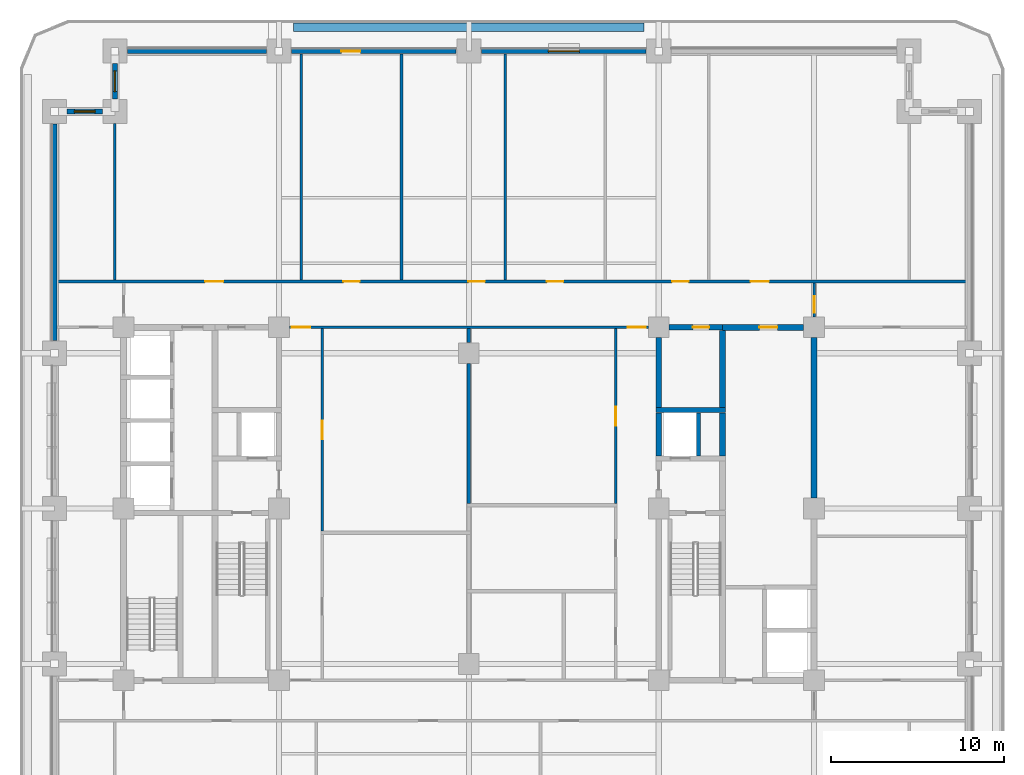
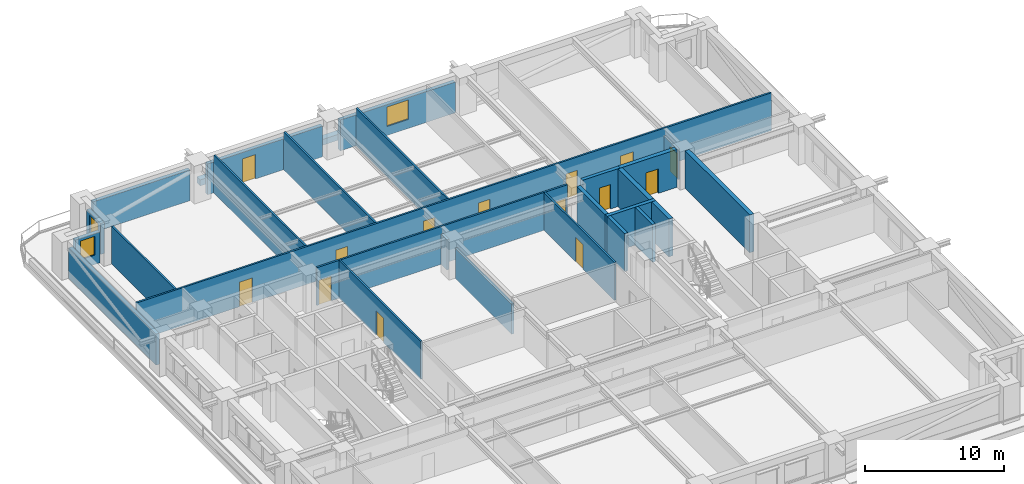
# One storey, part 5 of 14: 27 walls, 14 doors, 3 windows, 17 openings.
"""IFC4 building model written with IfcOpenShell, lengths in metres."""

from ifc_helpers import new_model, si_unit, direction, frame, frame_2d, origin, place, context, subcontext, project, spatial, rectangle, extrude, material, layer, layer_set, type_object, element, fill, save


model = new_model("IFC4")

# Units and contexts
model_context = context("Model", 3, precision=1e-05, world=origin(), true_north=direction((0.0, 1.0)))
body_context = subcontext(model_context, "Body", "Model", "MODEL_VIEW")
ifc_project = project(units=[si_unit("LENGTHUNIT", "METRE"), si_unit("AREAUNIT", "SQUARE_METRE"), si_unit("VOLUMEUNIT", "CUBIC_METRE"), si_unit("PLANEANGLEUNIT", "RADIAN"), si_unit("MASSUNIT", "GRAM", prefix="KILO")], contexts=[model_context])

# Site, building, storey
site_placement = place(None, origin())
site = spatial("IfcSite", under=ifc_project, at=site_placement, CompositionType="ELEMENT")
building_placement = place(site_placement, origin())
building = spatial("IfcBuilding", under=site, at=building_placement, Name="Zulmaris Gate Convention Tower", CompositionType="ELEMENT")
storey_placement = place(building_placement, frame((0.0, 0.0, 45.050048828125)))
storey = spatial("IfcBuildingStorey", under=building, at=storey_placement, Name="L10", CompositionType="ELEMENT", Elevation=45.050048828125)

# Walls
ifc_material_1 = material(Name="Concrete C50/60", Category="concrete")
ifc_layer_1 = layer(ifc_material_1, 0.25, Name="Concrete C50/60")
ifc_layer_set_1 = layer_set([ifc_layer_1], Name="Concrete C50/60")
wall_type_1 = type_object("IfcWallType", Name="CORE-250", PredefinedType="SOLIDWALL", material=ifc_layer_set_1)
wall_1_placement = place(storey_placement, frame((13.300048828125, 3.052001953125, 0.0), z_axis=(0.0, 0.0, 1.0), x_axis=(0.0, 1.0, 0.0)))
element("IfcWall", 1, at=wall_1_placement, inside=storey, type_object=wall_type_1, Name="WL-L10-058", PredefinedType="SOLIDWALL", context=body_context, shape_type="SweptSolid", body=[
    extrude(rectangle(XDim=2.49609375, YDim=0.25, at=frame_2d((1.248046875, 0.0))), origin(), (0.0, 0.0, 1.0), 3.320068359375),
])
ifc_layer_2 = layer(ifc_material_1, 0.300048828125, Name="Concrete C50/60")
ifc_layer_set_2 = layer_set([ifc_layer_2], Name="Concrete C50/60")
wall_type_2 = type_object("IfcWallType", Name="CORE-300", PredefinedType="SHEAR", material=ifc_layer_set_2)
wall_2_placement = place(storey_placement, frame((10.85009765625, 5.699951171875, 0.0), z_axis=(0.0, 0.0, 1.0), x_axis=(1.0, 0.0, 0.0)))
element("IfcWall", 2, at=wall_2_placement, inside=storey, type_object=wall_type_2, Name="WL-L10-014", PredefinedType="SHEAR", context=body_context, shape_type="SweptSolid", body=[
    extrude(rectangle(XDim=4.02490234375, YDim=0.300048828125, at=frame_2d((2.012451171875, 0.0))), origin(), (0.0, 0.0, 1.0), 3.320068359375),
])

# Wall, opening, door
wall_3_placement = place(storey_placement, frame((11.60400390625, 10.5, 0.0), z_axis=(0.0, 0.0, 1.0), x_axis=(1.0, 0.0, 0.0)))
wall_3 = element("IfcWall", 3, at=wall_3_placement, inside=storey, type_object=wall_type_2, Name="WL-L10-018", PredefinedType="SHEAR", context=body_context, shape_type="SweptSolid", body=[
    extrude(rectangle(XDim=3.095947265625, YDim=0.300048828125, at=frame_2d((1.5478515625, 0.0))), origin(), (0.0, 0.0, 1.0), 3.320068359375),
])
opening_1_placement = place(wall_3_placement, frame((1.37109375, 0.0, 0.0)))
opening_1 = element("IfcOpeningElement", 4, at=opening_1_placement, cuts=wall_3, Name="Opening D-11", PredefinedType="OPENING", context=body_context, shape_type="SweptSolid", body=[
    extrude(rectangle(XDim=0.949951171875, YDim=2.14990234375, at=frame_2d((0.47509765625, 1.074951171875))), frame((0.0, 0.16015625, 0.0), z_axis=(0.0, -1.0, 0.0), x_axis=(1.0, 0.0, 0.0)), (0.0, 0.0, 1.0), 0.320068359375),
])
ifc_material_2 = material(Name="Fire-Rated Timber", Category="wood")
door_type_1 = type_object("IfcDoorType", Name="DR-950-FD", OperationType="NOTDEFINED", PredefinedType="DOOR", material=ifc_material_2)
door_1_placement = place(opening_1_placement, origin())
door_1 = element("IfcDoor", 5, at=door_1_placement, inside=storey, type_object=door_type_1, Name="L10 Core Cleaners Store Door 08", OperationType="SINGLE_SWING_RIGHT", OverallHeight=2.14990234375, OverallWidth=0.949951171875, PredefinedType="DOOR", context=body_context, shape_type="SweptSolid", body=[
    extrude(rectangle(XDim=0.949951171875, YDim=2.14990234375, at=frame_2d((0.47509765625, 1.074951171875))), frame((0.0, 0.02490234375, 0.0), z_axis=(0.0, -1.0, 0.0), x_axis=(1.0, 0.0, 0.0)), (0.0, 0.0, 1.0), 0.050048828125),
])
fill(opening_1, door_1)

# Walls
wall_4_placement = place(storey_placement, frame((11.0, 3.052001953125, 0.0), z_axis=(0.0, 0.0, 1.0), x_axis=(0.0, 1.0, 0.0)))
element("IfcWall", 6, at=wall_4_placement, inside=storey, type_object=wall_type_2, Name="WL-L10-055", PredefinedType="SHEAR", context=body_context, shape_type="SweptSolid", body=[
    extrude(rectangle(XDim=2.49609375, YDim=0.300048828125, at=frame_2d((1.248046875, 0.0))), origin(), (0.0, 0.0, 1.0), 3.320068359375),
])
wall_5_placement = place(storey_placement, frame((11.0, 5.85205078125, 0.0), z_axis=(0.0, 0.0, 1.0), x_axis=(0.0, 1.0, 0.0)))
element("IfcWall", 7, at=wall_5_placement, inside=storey, type_object=wall_type_2, Name="WL-L10-056", PredefinedType="SHEAR", context=body_context, shape_type="SweptSolid", body=[
    extrude(rectangle(XDim=4.0439453125, YDim=0.300048828125, at=frame_2d((2.02197265625, 0.0))), origin(), (0.0, 0.0, 1.0), 3.320068359375),
])

# Wall, opening, door
ifc_material_3 = material(Name="Concrete C55/67", Category="concrete")
ifc_layer_3 = layer(ifc_material_3, 0.35009765625, Name="Concrete C55/67")
ifc_layer_set_3 = layer_set([ifc_layer_3], Name="Concrete C55/67")
wall_type_3 = type_object("IfcWallType", Name="CORE-350", PredefinedType="SHEAR", material=ifc_layer_set_3)
wall_6_placement = place(storey_placement, frame((14.699951171875, 10.5, 0.0), z_axis=(0.0, 0.0, 1.0), x_axis=(1.0, 0.0, 0.0)))
wall_6 = element("IfcWall", 8, at=wall_6_placement, inside=storey, type_object=wall_type_3, Name="WL-L10-019", PredefinedType="SHEAR", context=body_context, shape_type="SweptSolid", body=[
    extrude(rectangle(XDim=4.696044921875, YDim=0.35009765625, at=frame_2d((2.34814453125, 0.0))), origin(), (0.0, 0.0, 1.0), 3.320068359375),
])
opening_2_placement = place(wall_6_placement, frame((2.125, 0.0, 0.0)))
opening_2 = element("IfcOpeningElement", 9, at=opening_2_placement, cuts=wall_6, Name="Opening D-09", PredefinedType="OPENING", context=body_context, shape_type="SweptSolid", body=[
    extrude(rectangle(XDim=1.050048828125, YDim=2.14990234375, at=frame_2d((0.52490234375, 1.074951171875))), frame((0.0, 0.18505859375, 0.0), z_axis=(0.0, -1.0, 0.0), x_axis=(1.0, 0.0, 0.0)), (0.0, 0.0, 1.0), 0.3701171875),
])
ifc_material_4 = material(Name="Fire-Rated Steel", Category="steel")
door_type_2 = type_object("IfcDoorType", Name="DR-1050-FD", OperationType="NOTDEFINED", PredefinedType="DOOR", material=ifc_material_4)
door_2_placement = place(opening_2_placement, origin())
door_2 = element("IfcDoor", 10, at=door_2_placement, inside=storey, type_object=door_type_2, Name="L10 East Comms Room Door 16", OperationType="SINGLE_SWING_RIGHT", OverallHeight=2.14990234375, OverallWidth=1.050048828125, PredefinedType="DOOR", context=body_context, shape_type="SweptSolid", body=[
    extrude(rectangle(XDim=1.050048828125, YDim=2.14990234375, at=frame_2d((0.52490234375, 1.074951171875))), frame((0.0, 0.02490234375, 0.0), z_axis=(0.0, -1.0, 0.0), x_axis=(1.0, 0.0, 0.0)), (0.0, 0.0, 1.0), 0.050048828125),
])
fill(opening_2, door_2)

# Walls
wall_7_placement = place(storey_placement, frame((14.699951171875, 3.052001953125, 0.0), z_axis=(0.0, 0.0, 1.0), x_axis=(0.0, 1.0, 0.0)))
element("IfcWall", 11, at=wall_7_placement, inside=storey, type_object=wall_type_3, Name="WL-L10-061", PredefinedType="SHEAR", context=body_context, shape_type="SweptSolid", body=[
    extrude(rectangle(XDim=2.49609375, YDim=0.35009765625, at=frame_2d((1.248046875, 0.0))), origin(), (0.0, 0.0, 1.0), 3.320068359375),
])
wall_8_placement = place(storey_placement, frame((14.699951171875, 5.85205078125, 0.0), z_axis=(0.0, 0.0, 1.0), x_axis=(0.0, 1.0, 0.0)))
element("IfcWall", 12, at=wall_8_placement, inside=storey, type_object=wall_type_3, Name="WL-L10-062", PredefinedType="SHEAR", context=body_context, shape_type="SweptSolid", body=[
    extrude(rectangle(XDim=4.470947265625, YDim=0.35009765625, at=frame_2d((2.2353515625, 0.0))), origin(), (0.0, 0.0, 1.0), 3.320068359375),
])
wall_9_placement = place(storey_placement, frame((20.0, 0.60400390625, 0.0), z_axis=(0.0, 0.0, 1.0), x_axis=(0.0, 1.0, 0.0)))
element("IfcWall", 13, at=wall_9_placement, inside=storey, type_object=wall_type_3, Name="WL-L10-067S1", PredefinedType="SHEAR", context=body_context, shape_type="SweptSolid", body=[
    extrude(rectangle(XDim=9.2919921875, YDim=0.35009765625, at=frame_2d((4.64599609375, 0.0))), origin(), (0.0, 0.0, 1.0), 3.320068359375),
])

# Wall, openings, doors
ifc_material_5 = material(Name="Gypsum Metal Stud Partition")
ifc_layer_4 = layer(ifc_material_5, 0.14990234375, Name="Gypsum Metal Stud Partition")
ifc_layer_set_4 = layer_set([ifc_layer_4], Name="Gypsum Metal Stud Partition")
wall_type_4 = type_object("IfcWallType", Name="PART-150", PredefinedType="PARTITIONING", material=ifc_layer_set_4)
wall_10_placement = place(storey_placement, frame((-10.39404296875, 10.5, 0.0), z_axis=(0.0, 0.0, 1.0), x_axis=(1.0, 0.0, 0.0)))
wall_10 = element("IfcWall", 14, at=wall_10_placement, inside=storey, type_object=wall_type_4, Name="WL-L10-030", PredefinedType="PARTITIONING", context=body_context, shape_type="SweptSolid", body=[
    extrude(rectangle(XDim=20.7880859375, YDim=0.14990234375, at=frame_2d((10.39404296875, 0.0))), origin(), (0.0, 0.0, 1.0), 3.320068359375),
])
opening_3_placement = place(wall_10_placement, frame((0.14990234375, 0.0, 0.0)))
opening_3 = element("IfcOpeningElement", 15, at=opening_3_placement, cuts=wall_10, Name="Opening D-09", PredefinedType="OPENING", context=body_context, shape_type="SweptSolid", body=[
    extrude(rectangle(XDim=1.050048828125, YDim=2.14990234375, at=frame_2d((0.52490234375, 1.074951171875))), frame((0.0, 0.0849609375, 0.0), z_axis=(0.0, -1.0, 0.0), x_axis=(1.0, 0.0, 0.0)), (0.0, 0.0, 1.0), 0.169921875),
])
opening_4_placement = place(wall_10_placement, frame((19.587890625, 0.0, 0.0)))
opening_4 = element("IfcOpeningElement", 16, at=opening_4_placement, cuts=wall_10, Name="Opening D-09", PredefinedType="OPENING", context=body_context, shape_type="SweptSolid", body=[
    extrude(rectangle(XDim=1.050048828125, YDim=2.14990234375, at=frame_2d((0.52490234375, 1.074951171875))), frame((0.0, 0.0849609375, 0.0), z_axis=(0.0, -1.0, 0.0), x_axis=(1.0, 0.0, 0.0)), (0.0, 0.0, 1.0), 0.169921875),
])
door_3_placement = place(opening_3_placement, origin())
door_3 = element("IfcDoor", 17, at=door_3_placement, inside=storey, type_object=door_type_2, Name="L10 NW Spine Link Door 17", OperationType="SINGLE_SWING_LEFT", OverallHeight=2.14990234375, OverallWidth=1.050048828125, PredefinedType="DOOR", context=body_context, shape_type="SweptSolid", body=[
    extrude(rectangle(XDim=1.050048828125, YDim=2.14990234375, at=frame_2d((0.52490234375, 1.074951171875))), frame((0.0, 0.02490234375, 0.0), z_axis=(0.0, -1.0, 0.0), x_axis=(1.0, 0.0, 0.0)), (0.0, 0.0, 1.0), 0.050048828125),
])
fill(opening_3, door_3)
door_4_placement = place(opening_4_placement, origin())
door_4 = element("IfcDoor", 18, at=door_4_placement, inside=storey, type_object=door_type_2, Name="L10 NE Spine Link Door 19", OperationType="SINGLE_SWING_LEFT", OverallHeight=2.14990234375, OverallWidth=1.050048828125, PredefinedType="DOOR", context=body_context, shape_type="SweptSolid", body=[
    extrude(rectangle(XDim=1.050048828125, YDim=2.14990234375, at=frame_2d((0.52490234375, 1.074951171875))), frame((0.0, 0.02490234375, 0.0), z_axis=(0.0, -1.0, 0.0), x_axis=(1.0, 0.0, 0.0)), (0.0, 0.0, 1.0), 0.050048828125),
])
fill(opening_4, door_4)

wall_11_placement = place(storey_placement, frame((-23.8349609375, 13.14990234375, 0.0), z_axis=(0.0, 0.0, 1.0), x_axis=(1.0, 0.0, 0.0)))
wall_11 = element("IfcWall", 19, at=wall_11_placement, inside=storey, type_object=wall_type_4, Name="WL-L10-032", PredefinedType="PARTITIONING", context=body_context, shape_type="SweptSolid", body=[
    extrude(rectangle(XDim=52.669921875, YDim=0.14990234375, at=frame_2d((26.3349609375, 0.0))), origin(), (0.0, 0.0, 1.0), 3.320068359375),
])
opening_5_placement = place(wall_11_placement, frame((8.56005859375, 0.0, 0.0)))
opening_5 = element("IfcOpeningElement", 20, at=opening_5_placement, cuts=wall_11, Name="Opening D-09", PredefinedType="OPENING", context=body_context, shape_type="SweptSolid", body=[
    extrude(rectangle(XDim=1.050048828125, YDim=2.14990234375, at=frame_2d((0.52490234375, 1.074951171875))), frame((0.0, 0.0849609375, 0.0), z_axis=(0.0, -1.0, 0.0), x_axis=(1.0, 0.0, 0.0)), (0.0, 0.0, 1.0), 0.169921875),
])
opening_6_placement = place(wall_11_placement, frame((16.56005859375, 0.0, 0.0)))
opening_6 = element("IfcOpeningElement", 21, at=opening_6_placement, cuts=wall_11, Name="Opening D-11", PredefinedType="OPENING", context=body_context, shape_type="SweptSolid", body=[
    extrude(rectangle(XDim=0.949951171875, YDim=2.14990234375, at=frame_2d((0.47509765625, 1.074951171875))), frame((0.0, 0.0849609375, 0.0), z_axis=(0.0, -1.0, 0.0), x_axis=(1.0, 0.0, 0.0)), (0.0, 0.0, 1.0), 0.169921875),
])
opening_7_placement = place(wall_11_placement, frame((23.81005859375, 0.0, 0.0)))
opening_7 = element("IfcOpeningElement", 22, at=opening_7_placement, cuts=wall_11, Name="Opening D-11", PredefinedType="OPENING", context=body_context, shape_type="SweptSolid", body=[
    extrude(rectangle(XDim=0.949951171875, YDim=2.14990234375, at=frame_2d((0.47509765625, 1.074951171875))), frame((0.0, 0.0849609375, 0.0), z_axis=(0.0, -1.0, 0.0), x_axis=(1.0, 0.0, 0.0)), (0.0, 0.0, 1.0), 0.169921875),
])
opening_8_placement = place(wall_11_placement, frame((28.360107421875, 0.0, 0.0)))
opening_8 = element("IfcOpeningElement", 23, at=opening_8_placement, cuts=wall_11, Name="Opening D-11", PredefinedType="OPENING", context=body_context, shape_type="SweptSolid", body=[
    extrude(rectangle(XDim=0.949951171875, YDim=2.14990234375, at=frame_2d((0.47509765625, 1.074951171875))), frame((0.0, 0.0849609375, 0.0), z_axis=(0.0, -1.0, 0.0), x_axis=(1.0, 0.0, 0.0)), (0.0, 0.0, 1.0), 0.169921875),
])
opening_9_placement = place(wall_11_placement, frame((35.610107421875, 0.0, 0.0)))
opening_9 = element("IfcOpeningElement", 24, at=opening_9_placement, cuts=wall_11, Name="Opening D-11", PredefinedType="OPENING", context=body_context, shape_type="SweptSolid", body=[
    extrude(rectangle(XDim=0.949951171875, YDim=2.14990234375, at=frame_2d((0.47509765625, 1.074951171875))), frame((0.0, 0.0849609375, 0.0), z_axis=(0.0, -1.0, 0.0), x_axis=(1.0, 0.0, 0.0)), (0.0, 0.0, 1.0), 0.169921875),
])
opening_10_placement = place(wall_11_placement, frame((40.159912109375, 0.0, 0.0)))
opening_10 = element("IfcOpeningElement", 25, at=opening_10_placement, cuts=wall_11, Name="Opening D-09", PredefinedType="OPENING", context=body_context, shape_type="SweptSolid", body=[
    extrude(rectangle(XDim=1.050048828125, YDim=2.14990234375, at=frame_2d((0.52490234375, 1.074951171875))), frame((0.0, 0.0849609375, 0.0), z_axis=(0.0, -1.0, 0.0), x_axis=(1.0, 0.0, 0.0)), (0.0, 0.0, 1.0), 0.169921875),
])
door_5_placement = place(opening_5_placement, origin())
door_5 = element("IfcDoor", 26, at=door_5_placement, inside=storey, type_object=door_type_2, Name="L10 Delegate Business Lounge Door 21", OperationType="SINGLE_SWING_LEFT", OverallHeight=2.14990234375, OverallWidth=1.050048828125, PredefinedType="DOOR", context=body_context, shape_type="SweptSolid", body=[
    extrude(rectangle(XDim=1.050048828125, YDim=2.14990234375, at=frame_2d((0.52490234375, 1.074951171875))), frame((0.0, 0.02490234375, 0.0), z_axis=(0.0, -1.0, 0.0), x_axis=(1.0, 0.0, 0.0)), (0.0, 0.0, 1.0), 0.050048828125),
])
fill(opening_5, door_5)
door_6_placement = place(opening_10_placement, origin())
door_6 = element("IfcDoor", 27, at=door_6_placement, inside=storey, type_object=door_type_2, Name="L10 Commercial Advisory Office Door 26", OperationType="SINGLE_SWING_RIGHT", OverallHeight=2.14990234375, OverallWidth=1.050048828125, PredefinedType="DOOR", context=body_context, shape_type="SweptSolid", body=[
    extrude(rectangle(XDim=1.050048828125, YDim=2.14990234375, at=frame_2d((0.52490234375, 1.074951171875))), frame((0.0, 0.02490234375, 0.0), z_axis=(0.0, -1.0, 0.0), x_axis=(1.0, 0.0, 0.0)), (0.0, 0.0, 1.0), 0.050048828125),
])
fill(opening_10, door_6)
door_7_placement = place(opening_6_placement, origin())
door_7 = element("IfcDoor", 28, at=door_7_placement, inside=storey, type_object=door_type_1, Name="L10 Commercial Advisory Office Door 22", OperationType="SINGLE_SWING_RIGHT", OverallHeight=2.14990234375, OverallWidth=0.949951171875, PredefinedType="DOOR", context=body_context, shape_type="SweptSolid", body=[
    extrude(rectangle(XDim=0.949951171875, YDim=2.14990234375, at=frame_2d((0.47509765625, 1.074951171875))), frame((0.0, 0.02490234375, 0.0), z_axis=(0.0, -1.0, 0.0), x_axis=(1.0, 0.0, 0.0)), (0.0, 0.0, 1.0), 0.050048828125),
])
fill(opening_6, door_7)
door_8_placement = place(opening_7_placement, origin())
door_8 = element("IfcDoor", 29, at=door_8_placement, inside=storey, type_object=door_type_1, Name="L10 Regional Corporate Office Door 23", OperationType="SINGLE_SWING_LEFT", OverallHeight=2.14990234375, OverallWidth=0.949951171875, PredefinedType="DOOR", context=body_context, shape_type="SweptSolid", body=[
    extrude(rectangle(XDim=0.949951171875, YDim=2.14990234375, at=frame_2d((0.47509765625, 1.074951171875))), frame((0.0, 0.02490234375, 0.0), z_axis=(0.0, -1.0, 0.0), x_axis=(1.0, 0.0, 0.0)), (0.0, 0.0, 1.0), 0.050048828125),
])
fill(opening_7, door_8)
door_9_placement = place(opening_8_placement, origin())
door_9 = element("IfcDoor", 30, at=door_9_placement, inside=storey, type_object=door_type_1, Name="L10 Client Practice Studio Door 24", OperationType="SINGLE_SWING_RIGHT", OverallHeight=2.14990234375, OverallWidth=0.949951171875, PredefinedType="DOOR", context=body_context, shape_type="SweptSolid", body=[
    extrude(rectangle(XDim=0.949951171875, YDim=2.14990234375, at=frame_2d((0.47509765625, 1.074951171875))), frame((0.0, 0.02490234375, 0.0), z_axis=(0.0, -1.0, 0.0), x_axis=(1.0, 0.0, 0.0)), (0.0, 0.0, 1.0), 0.050048828125),
])
fill(opening_8, door_9)
door_10_placement = place(opening_9_placement, origin())
door_10 = element("IfcDoor", 31, at=door_10_placement, inside=storey, type_object=door_type_1, Name="L10 Delegate Business Lounge Door 25", OperationType="SINGLE_SWING_LEFT", OverallHeight=2.14990234375, OverallWidth=0.949951171875, PredefinedType="DOOR", context=body_context, shape_type="SweptSolid", body=[
    extrude(rectangle(XDim=0.949951171875, YDim=2.14990234375, at=frame_2d((0.47509765625, 1.074951171875))), frame((0.0, 0.02490234375, 0.0), z_axis=(0.0, -1.0, 0.0), x_axis=(1.0, 0.0, 0.0)), (0.0, 0.0, 1.0), 0.050048828125),
])
fill(opening_9, door_10)

# Walls
wall_12_placement = place(storey_placement, frame((-20.5, 13.22802734375, 0.0), z_axis=(0.0, 0.0, 1.0), x_axis=(0.0, 1.0, 0.0)))
element("IfcWall", 32, at=wall_12_placement, inside=storey, type_object=wall_type_4, Name="WL-L10-069", PredefinedType="PARTITIONING", context=body_context, shape_type="SweptSolid", body=[
    extrude(rectangle(XDim=9.06591796875, YDim=0.14990234375, at=frame_2d((4.532958984375, 0.0))), origin(), (0.0, 0.0, 1.0), 3.320068359375),
])
wall_13_placement = place(storey_placement, frame((-9.699951171875, 13.22802734375, 0.0), z_axis=(0.0, 0.0, 1.0), x_axis=(0.0, 1.0, 0.0)))
element("IfcWall", 33, at=wall_13_placement, inside=storey, type_object=wall_type_4, Name="WL-L10-072", PredefinedType="PARTITIONING", context=body_context, shape_type="SweptSolid", body=[
    extrude(rectangle(XDim=13.10693359375, YDim=0.14990234375, at=frame_2d((6.553466796875, 0.0))), origin(), (0.0, 0.0, 1.0), 3.320068359375),
])

# Wall, opening, door
wall_14_placement = place(storey_placement, frame((-8.5, -1.297119140625, 0.0), z_axis=(0.0, 0.0, 1.0), x_axis=(0.0, 1.0, 0.0)))
wall_14 = element("IfcWall", 34, at=wall_14_placement, inside=storey, type_object=wall_type_4, Name="WL-L10-075", PredefinedType="PARTITIONING", context=body_context, shape_type="SweptSolid", body=[
    extrude(rectangle(XDim=11.71923828125, YDim=0.14990234375, at=frame_2d((5.859619140625, 0.0))), origin(), (0.0, 0.0, 1.0), 3.320068359375),
])
opening_11_placement = place(wall_14_placement, frame((5.322021484375, 0.0, 0.0)))
opening_11 = element("IfcOpeningElement", 35, at=opening_11_placement, cuts=wall_14, Name="Opening D-09", PredefinedType="OPENING", context=body_context, shape_type="SweptSolid", body=[
    extrude(rectangle(XDim=1.050048828125, YDim=2.14990234375, at=frame_2d((0.52490234375, 1.074951171875))), frame((0.0, 0.0849609375, 0.0), z_axis=(0.0, -1.0, 0.0), x_axis=(1.0, 0.0, 0.0)), (0.0, 0.0, 1.0), 0.169921875),
])
door_11_placement = place(opening_11_placement, origin())
door_11 = element("IfcDoor", 36, at=door_11_placement, inside=storey, type_object=door_type_2, Name="L10 Boardroom Door 30", OperationType="SINGLE_SWING_RIGHT", OverallHeight=2.14990234375, OverallWidth=1.050048828125, PredefinedType="DOOR", context=body_context, shape_type="SweptSolid", body=[
    extrude(rectangle(XDim=1.050048828125, YDim=2.14990234375, at=frame_2d((0.52490234375, 1.074951171875))), frame((0.0, 0.02490234375, 0.0), z_axis=(0.0, -1.0, 0.0), x_axis=(1.0, 0.0, 0.0)), (0.0, 0.0, 1.0), 0.050048828125),
])
fill(opening_11, door_11)

# Walls
for number, where, z_axis, x_axis, name in (
    (37, (-3.89990234375, 13.22802734375, 0.0), (0.0, 0.0, 1.0), (0.0, 1.0, 0.0), "WL-L10-076"),
    (38, (2.10009765625, 13.22802734375, 0.0), (0.0, 0.0, 1.0), (0.0, 1.0, 0.0), "WL-L10-081"),
):
    element("IfcWall", number, at=place(storey_placement, frame(where, z_axis=z_axis, x_axis=x_axis)), inside=storey, type_object=wall_type_4, Name=name, PredefinedType="PARTITIONING", context=body_context, shape_type="SweptSolid", body=[
        extrude(rectangle(XDim=13.10693359375, YDim=0.14990234375, at=frame_2d((6.553466796875, 0.0))), origin(), (0.0, 0.0, 1.0), 3.320068359375),
    ])

# Wall, opening, door
wall_15_placement = place(storey_placement, frame((8.5, 0.302978515625, 0.0), z_axis=(0.0, 0.0, 1.0), x_axis=(0.0, 1.0, 0.0)))
wall_15 = element("IfcWall", 39, at=wall_15_placement, inside=storey, type_object=wall_type_4, Name="WL-L10-087", PredefinedType="PARTITIONING", context=body_context, shape_type="SweptSolid", body=[
    extrude(rectangle(XDim=10.119140625, YDim=0.14990234375, at=frame_2d((5.0595703125, 0.0))), origin(), (0.0, 0.0, 1.0), 3.320068359375),
])
opening_12_placement = place(wall_15_placement, frame((4.4970703125, 0.0, 0.0)))
opening_12 = element("IfcOpeningElement", 40, at=opening_12_placement, cuts=wall_15, Name="Opening D-08", PredefinedType="OPENING", context=body_context, shape_type="SweptSolid", body=[
    extrude(rectangle(XDim=1.10009765625, YDim=2.14990234375, at=frame_2d((0.550048828125, 1.074951171875))), frame((0.0, 0.0849609375, 0.0), z_axis=(0.0, -1.0, 0.0), x_axis=(1.0, 0.0, 0.0)), (0.0, 0.0, 1.0), 0.169921875),
])
door_type_3 = type_object("IfcDoorType", Name="DR-1100-FD", OperationType="NOTDEFINED", PredefinedType="DOOR", material=ifc_material_4)
door_12_placement = place(opening_12_placement, origin())
door_12 = element("IfcDoor", 41, at=door_12_placement, inside=storey, type_object=door_type_3, Name="L10 Seminar Forum Door 32", OperationType="SINGLE_SWING_RIGHT", OverallHeight=2.14990234375, OverallWidth=1.10009765625, PredefinedType="DOOR", context=body_context, shape_type="SweptSolid", body=[
    extrude(rectangle(XDim=1.10009765625, YDim=2.14990234375, at=frame_2d((0.550048828125, 1.074951171875))), frame((0.0, 0.02490234375, 0.0), z_axis=(0.0, -1.0, 0.0), x_axis=(1.0, 0.0, 0.0)), (0.0, 0.0, 1.0), 0.050048828125),
])
fill(opening_12, door_12)

wall_16_placement = place(storey_placement, frame((20.0, 11.10595703125, 0.0), z_axis=(0.0, 0.0, 1.0), x_axis=(0.0, 1.0, 0.0)))
wall_16 = element("IfcWall", 42, at=wall_16_placement, inside=storey, type_object=wall_type_4, Name="WL-L10-090", PredefinedType="PARTITIONING", context=body_context, shape_type="SweptSolid", body=[
    extrude(rectangle(XDim=1.966064453125, YDim=0.14990234375, at=frame_2d((0.98291015625, 0.0))), origin(), (0.0, 0.0, 1.0), 2.66015625),
])
opening_13_placement = place(wall_16_placement, frame((0.239013671875, 0.0, 0.0)))
opening_13 = element("IfcOpeningElement", 43, at=opening_13_placement, cuts=wall_16, Name="Opening D-11", PredefinedType="OPENING", context=body_context, shape_type="SweptSolid", body=[
    extrude(rectangle(XDim=0.949951171875, YDim=2.14990234375, at=frame_2d((0.47509765625, 1.074951171875))), frame((0.0, 0.0849609375, 0.0), z_axis=(0.0, -1.0, 0.0), x_axis=(1.0, 0.0, 0.0)), (0.0, 0.0, 1.0), 0.169921875),
])
door_13_placement = place(opening_13_placement, origin())
door_13 = element("IfcDoor", 44, at=door_13_placement, inside=storey, type_object=door_type_1, Name="L10 NE Spur Door 40", OperationType="SINGLE_SWING_RIGHT", OverallHeight=2.14990234375, OverallWidth=0.949951171875, PredefinedType="DOOR", context=body_context, shape_type="SweptSolid", body=[
    extrude(rectangle(XDim=0.949951171875, YDim=2.14990234375, at=frame_2d((0.47509765625, 1.074951171875))), frame((0.0, 0.02490234375, 0.0), z_axis=(0.0, -1.0, 0.0), x_axis=(1.0, 0.0, 0.0)), (0.0, 0.0, 1.0), 0.050048828125),
])
fill(opening_13, door_13)

# Walls
ifc_material_6 = material(Name="Autoclaved Aerated Concrete Block and Plasterboard", Category="concrete")
ifc_layer_5 = layer(ifc_material_6, 0.199951171875, Name="Autoclaved Aerated Concrete Block and Plasterboard")
ifc_layer_set_5 = layer_set([ifc_layer_5], Name="Autoclaved Aerated Concrete Block and Plasterboard")
wall_type_5 = type_object("IfcWallType", Name="PART-200", PredefinedType="PARTITIONING", material=ifc_layer_set_5)
wall_17_placement = place(storey_placement, frame((0.0, 0.302978515625, 0.0), z_axis=(0.0, 0.0, 1.0), x_axis=(0.0, 1.0, 0.0)))
element("IfcWall", 45, at=wall_17_placement, inside=storey, type_object=wall_type_5, Name="WL-L10-080", PredefinedType="PARTITIONING", context=body_context, shape_type="SweptSolid", body=[
    extrude(rectangle(XDim=8.091064453125, YDim=0.199951171875, at=frame_2d((4.04541015625, 0.0))), origin(), (0.0, 0.0, 1.0), 2.66015625),
])
wall_18_placement = place(storey_placement, frame((0.0, 9.60595703125, 0.0), z_axis=(0.0, 0.0, 1.0), x_axis=(0.0, 1.0, 0.0)))
element("IfcWall", 46, at=wall_18_placement, inside=storey, type_object=wall_type_5, Name="WL-L10-080S1", PredefinedType="PARTITIONING", context=body_context, shape_type="SweptSolid", body=[
    extrude(rectangle(XDim=0.816162109375, YDim=0.199951171875, at=frame_2d((0.408203125, 0.0))), origin(), (0.0, 0.0, 1.0), 2.66015625),
])
ifc_material_7 = material(Name="Botanical Green Glazed Precast Concrete C40/50", Category="concrete")
ifc_layer_6 = layer(ifc_material_7, 0.419921875, Name="Botanical Green Glazed Precast Concrete C40/50")
ifc_layer_set_6 = layer_set([ifc_layer_6], Name="Botanical Green Glazed Precast Concrete C40/50")
wall_type_6 = type_object("IfcWallType", Name="PLANTER-CURB-200", PredefinedType="PARAPET", material=ifc_layer_set_6)
wall_19_placement = place(storey_placement, frame((-10.14990234375, 27.8798828125, -0.0400390625), z_axis=(0.0, 0.0, 1.0), x_axis=(1.0, 0.0, 0.0)))
element("IfcWall", 47, at=wall_19_placement, inside=storey, type_object=wall_type_6, Name="L10 Full-Length Balcony Tree Planter Trough", PredefinedType="PARAPET", context=body_context, shape_type="SweptSolid", body=[
    extrude(rectangle(XDim=20.2998046875, YDim=0.47998046875, at=frame_2d((10.14990234375, 0.0))), origin(), (0.0, 0.0, 1.0), 0.52001953125),
])

# Wall, opening, window
ifc_material_8 = material(Name="Precast concrete C40/50", Category="concrete")
ifc_layer_7 = layer(ifc_material_8, 0.300048828125, Name="Precast concrete C40/50")
ifc_layer_set_7 = layer_set([ifc_layer_7], Name="Precast concrete C40/50")
wall_type_7 = type_object("IfcWallType", Name="PRECAST-PIER-300", PredefinedType="STANDARD", material=ifc_layer_set_7)
wall_20_placement = place(storey_placement, frame((-20.5, 25.77001953125, 0.0), z_axis=(0.0, 0.0, 1.0), x_axis=(0.0, -1.0, 0.0)))
wall_20 = element("IfcWall", 48, at=wall_20_placement, inside=storey, type_object=wall_type_7, Name="EW-L10-NOTCH-NW1_0", PredefinedType="STANDARD", context=body_context, shape_type="SweptSolid", body=[
    extrude(rectangle(XDim=2.0400390625, YDim=0.300048828125, at=frame_2d((1.02001953125, 0.0))), origin(), (0.0, 0.0, 1.0), 2.712158203125),
])
opening_14_placement = place(wall_20_placement, frame((0.419921875, 0.0, 0.820068359375)))
opening_14 = element("IfcOpeningElement", 49, at=opening_14_placement, cuts=wall_20, Name="Opening W-04", PredefinedType="OPENING", context=body_context, shape_type="SweptSolid", body=[
    extrude(rectangle(XDim=1.199951171875, YDim=1.64990234375, at=frame_2d((0.60009765625, 0.824951171875))), frame((0.0, 0.16015625, 0.0), z_axis=(0.0, -1.0, 0.0), x_axis=(1.0, 0.0, 0.0)), (0.0, 0.0, 1.0), 0.320068359375),
])
ifc_material_9 = material(Name="Low-E Laminated Double Glazing in Aluminium Frame", Category="aluminium")
window_type_1 = type_object("IfcWindowType", Name="WIN-1200x2100", PartitioningType="SINGLE_PANEL", PredefinedType="WINDOW", material=ifc_material_9)
window_1_placement = place(opening_14_placement, origin())
window_1 = element("IfcWindow", 50, at=window_1_placement, inside=storey, type_object=window_type_1, Name="WN-EW-L10-NOTCH-NW1_0", OverallHeight=1.64990234375, OverallWidth=1.199951171875, PartitioningType="SINGLE_PANEL", PredefinedType="WINDOW", context=body_context, shape_type="SweptSolid", body=[
    extrude(rectangle(XDim=1.199951171875, YDim=1.64990234375, at=frame_2d((0.60009765625, 0.824951171875))), frame((0.0, 0.030029296875, 0.0), z_axis=(0.0, -1.0, 0.0), x_axis=(1.0, 0.0, 0.0)), (0.0, 0.0, 1.0), 0.06005859375),
])
fill(opening_14, window_1)

wall_21_placement = place(storey_placement, frame((-21.22998046875, 23.0, 0.0), z_axis=(0.0, 0.0, 1.0), x_axis=(-1.0, 0.0, 0.0)))
wall_21 = element("IfcWall", 51, at=wall_21_placement, inside=storey, type_object=wall_type_7, Name="EW-L10-NOTCH-NW2_0", PredefinedType="STANDARD", context=body_context, shape_type="SweptSolid", body=[
    extrude(rectangle(XDim=2.0400390625, YDim=0.300048828125, at=frame_2d((1.02001953125, 0.0))), origin(), (0.0, 0.0, 1.0), 2.712158203125),
])
opening_15_placement = place(wall_21_placement, frame((0.419921875, 0.0, 0.820068359375)))
opening_15 = element("IfcOpeningElement", 52, at=opening_15_placement, cuts=wall_21, Name="Opening W-04", PredefinedType="OPENING", context=body_context, shape_type="SweptSolid", body=[
    extrude(rectangle(XDim=1.199951171875, YDim=1.64990234375, at=frame_2d((0.60009765625, 0.824951171875))), frame((0.0, 0.16015625, 0.0), z_axis=(0.0, -1.0, 0.0), x_axis=(1.0, 0.0, 0.0)), (0.0, 0.0, 1.0), 0.320068359375),
])
window_2_placement = place(opening_15_placement, origin())
window_2 = element("IfcWindow", 53, at=window_2_placement, inside=storey, type_object=window_type_1, Name="WN-EW-L10-NOTCH-NW2_0", OverallHeight=1.64990234375, OverallWidth=1.199951171875, PartitioningType="SINGLE_PANEL", PredefinedType="WINDOW", context=body_context, shape_type="SweptSolid", body=[
    extrude(rectangle(XDim=1.199951171875, YDim=1.64990234375, at=frame_2d((0.60009765625, 0.824951171875))), frame((0.0, 0.030029296875, 0.0), z_axis=(0.0, -1.0, 0.0), x_axis=(1.0, 0.0, 0.0)), (0.0, 0.0, 1.0), 0.06005859375),
])
fill(opening_15, window_2)

# Wall
wall_22_placement = place(storey_placement, frame((-11.72998046875, 26.5, 0.0), z_axis=(0.0, 0.0, 1.0), x_axis=(-1.0, 0.0, 0.0)))
element("IfcWall", 54, at=wall_22_placement, inside=storey, type_object=wall_type_7, Name="EW-L10-N-0_0", PredefinedType="STANDARD", context=body_context, shape_type="SweptSolid", body=[
    extrude(rectangle(XDim=8.0400390625, YDim=0.300048828125, at=frame_2d((4.02001953125, 0.0))), origin(), (0.0, 0.0, 1.0), 2.712158203125),
])

# Wall, opening, door
wall_23_placement = place(storey_placement, frame((-0.72998046875, 26.5, 0.0), z_axis=(0.0, 0.0, 1.0), x_axis=(-1.0, 0.0, 0.0)))
wall_23 = element("IfcWall", 55, at=wall_23_placement, inside=storey, type_object=wall_type_7, Name="EW-L10-N-1_0", PredefinedType="STANDARD", context=body_context, shape_type="SweptSolid", body=[
    extrude(rectangle(XDim=9.5400390625, YDim=0.300048828125, at=frame_2d((4.77001953125, 0.0))), origin(), (0.0, 0.0, 1.0), 2.712158203125),
])
opening_16_placement = place(wall_23_placement, frame((5.56005859375, 0.0, 0.0)))
opening_16 = element("IfcOpeningElement", 56, at=opening_16_placement, cuts=wall_23, Name="Opening D-04", PredefinedType="OPENING", context=body_context, shape_type="SweptSolid", body=[
    extrude(rectangle(XDim=1.10009765625, YDim=2.14990234375, at=frame_2d((0.550048828125, 1.074951171875))), frame((0.0, 0.16015625, 0.0), z_axis=(0.0, -1.0, 0.0), x_axis=(1.0, 0.0, 0.0)), (0.0, 0.0, 1.0), 0.320068359375),
])
ifc_material_10 = material(Name="Anodised Aluminium and Laminated Glass", Category="aluminium")
door_type_4 = type_object("IfcDoorType", Name="ED-1100", OperationType="SINGLE_SWING_RIGHT", PredefinedType="DOOR", material=ifc_material_10)
door_14_placement = place(opening_16_placement, origin())
door_14 = element("IfcDoor", 57, at=door_14_placement, inside=storey, type_object=door_type_4, Name="L10 N Planted Terrace Door", OperationType="SINGLE_SWING_LEFT", OverallHeight=2.14990234375, OverallWidth=1.10009765625, PredefinedType="DOOR", context=body_context, shape_type="SweptSolid", body=[
    extrude(rectangle(XDim=1.10009765625, YDim=2.14990234375, at=frame_2d((0.550048828125, 1.074951171875))), frame((0.0, 0.02490234375, 0.0), z_axis=(0.0, -1.0, 0.0), x_axis=(1.0, 0.0, 0.0)), (0.0, 0.0, 1.0), 0.050048828125),
])
fill(opening_16, door_14)

# Wall, opening, window
wall_24_placement = place(storey_placement, frame((10.27001953125, 26.5, 0.0), z_axis=(0.0, 0.0, 1.0), x_axis=(-1.0, 0.0, 0.0)))
wall_24 = element("IfcWall", 58, at=wall_24_placement, inside=storey, type_object=wall_type_7, Name="EW-L10-N-2_0", PredefinedType="STANDARD", context=body_context, shape_type="SweptSolid", body=[
    extrude(rectangle(XDim=9.5400390625, YDim=0.300048828125, at=frame_2d((4.77001953125, 0.0))), origin(), (0.0, 0.0, 1.0), 2.712158203125),
])
opening_17_placement = place(wall_24_placement, frame((3.8701171875, 0.0, 0.780029296875)))
opening_17 = element("IfcOpeningElement", 59, at=opening_17_placement, cuts=wall_24, Name="Opening W-02", PredefinedType="OPENING", context=body_context, shape_type="SweptSolid", body=[
    extrude(rectangle(XDim=1.800048828125, YDim=1.719970703125, at=frame_2d((0.89990234375, 0.85986328125))), frame((0.0, 0.16015625, 0.0), z_axis=(0.0, -1.0, 0.0), x_axis=(1.0, 0.0, 0.0)), (0.0, 0.0, 1.0), 0.320068359375),
])
window_type_2 = type_object("IfcWindowType", Name="WIN-1800x2200", PartitioningType="SINGLE_PANEL", PredefinedType="WINDOW", material=ifc_material_9)
window_3_placement = place(opening_17_placement, origin())
window_3 = element("IfcWindow", 60, at=window_3_placement, inside=storey, type_object=window_type_2, Name="WN-EW-L10-N-2_0-2", OverallHeight=1.719970703125, OverallWidth=1.800048828125, PartitioningType="SINGLE_PANEL", PredefinedType="WINDOW", context=body_context, shape_type="SweptSolid", body=[
    extrude(rectangle(XDim=1.800048828125, YDim=1.719970703125, at=frame_2d((0.89990234375, 0.85986328125))), frame((0.0, 0.030029296875, 0.0), z_axis=(0.0, -1.0, 0.0), x_axis=(1.0, 0.0, 0.0)), (0.0, 0.0, 1.0), 0.06005859375),
])
fill(opening_17, window_3)

# Wall
wall_25_placement = place(storey_placement, frame((-24.0, 22.27001953125, 0.0), z_axis=(0.0, 0.0, 1.0), x_axis=(0.0, -1.0, 0.0)))
element("IfcWall", 61, at=wall_25_placement, inside=storey, type_object=wall_type_7, Name="EW-L10-W-3_0", PredefinedType="STANDARD", context=body_context, shape_type="SweptSolid", body=[
    extrude(rectangle(XDim=12.5400390625, YDim=0.300048828125, at=frame_2d((6.27001953125, 0.0))), origin(), (0.0, 0.0, 1.0), 2.712158203125),
])

save(model, "model.ifc")
